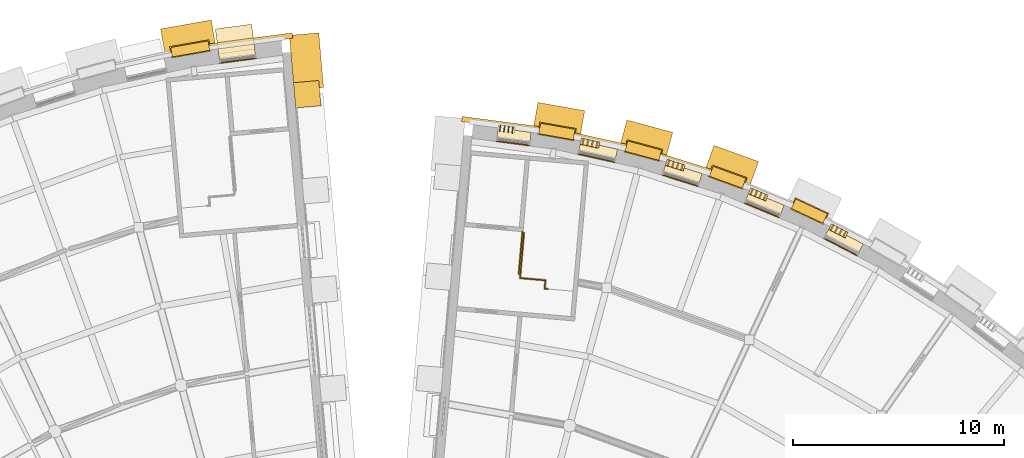
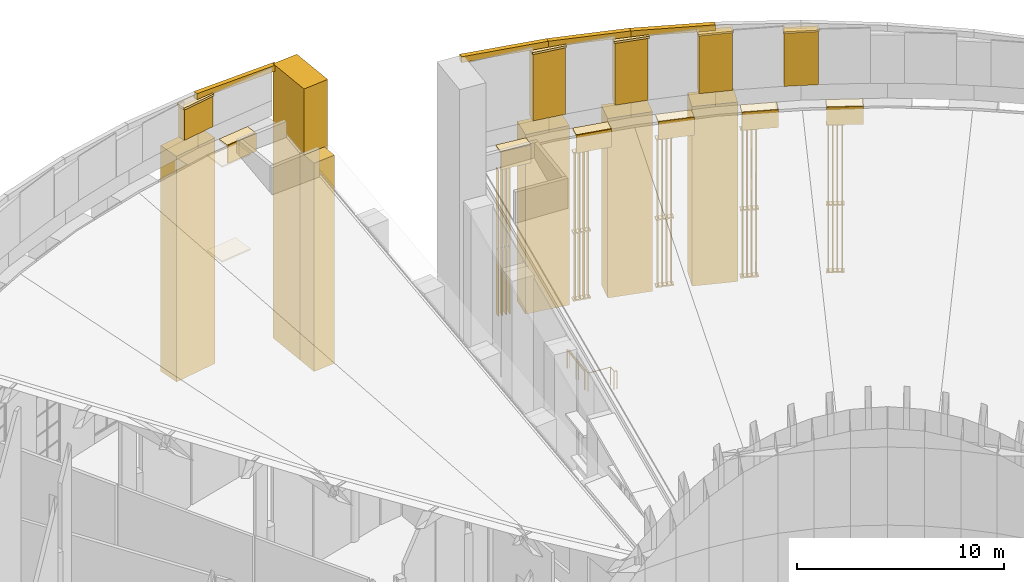
# One storey, part 79 of 82: 86 coverings, 2 railings.
"""IFC4 building model written with IfcOpenShell, lengths in metres."""

from ifc_helpers import new_model, si_unit, direction, frame, origin, origin_2d, place, context, subcontext, project, spatial, polyline, rectangle, circle, outline, extrude, material, layer, layer_set, type_object, element, save


model = new_model("IFC4")

# Units and contexts
model_context = context("Model", 3, precision=1e-05, world=origin(), true_north=direction((0.0, 1.0)))
body_context = subcontext(model_context, "Body", "Model", "MODEL_VIEW")
ifc_project = project(units=[si_unit("LENGTHUNIT", "METRE"), si_unit("AREAUNIT", "SQUARE_METRE"), si_unit("VOLUMEUNIT", "CUBIC_METRE"), si_unit("PLANEANGLEUNIT", "RADIAN"), si_unit("MASSUNIT", "GRAM", prefix="KILO")], contexts=[model_context])

# Site, building, storey
site_placement = place(None, origin())
site = spatial("IfcSite", under=ifc_project, at=site_placement, CompositionType="ELEMENT")
building_placement = place(site_placement, origin())
building = spatial("IfcBuilding", under=site, at=building_placement, Name="Volute Hill Aquarium", CompositionType="ELEMENT")
storey_placement = place(building_placement, frame((0.0, 0.0, 13.800048828125)))
storey = spatial("IfcBuildingStorey", under=building, at=storey_placement, Name="L04", CompositionType="ELEMENT", Elevation=13.800048828125)

# Coverings
ifc_material_1 = material(Name="Precast concrete C40/50", Category="concrete")
covering_type_1 = type_object("IfcCoveringType", Name="Crown coping beam precast concrete C40/50 250x350", PredefinedType="CLADDING", material=ifc_material_1)
covering_1_placement = place(storey_placement, frame((16.453857421875, 45.22265625, 15.004150390625), z_axis=(0.30068764633, 0.953722674232, 0.0), x_axis=(-0.951717150326, 0.300055349039, 0.064817075592)))
element("IfcCovering", 1, at=covering_1_placement, inside=storey, type_object=covering_type_1, Name="Crown coping beam PCB S5 b07", PredefinedType="CLADDING", context=body_context, shape_type="SweptSolid", body=[
    extrude(outline(polyline([(0.0, 0.0), (4.1960031946013725, 0.0), (4.218679676369869, 0.3491178304953431), (0.022692306249842528, 0.3493614577322555), (0.0, 0.0)])), origin(), (0.0, 0.0, -1.0), 0.25),
])
covering_2_placement = place(storey_placement, frame((12.449951171875, 46.484619140625, 15.276123046875), z_axis=(0.216424213295, 0.976299421233, 0.0), x_axis=(-0.974246615989, 0.215969151302, 0.064814017928)))
element("IfcCovering", 2, at=covering_2_placement, inside=storey, type_object=covering_type_1, Name="Crown coping beam PCB S5 b08", PredefinedType="CLADDING", context=body_context, shape_type="SweptSolid", body=[
    extrude(outline(polyline([(0.0, 0.0), (4.196201145102491, -5.551115123125783e-17), (4.218876557136537, 0.34911789997686793), (0.022675412034045408, 0.349117899976868), (0.0, 0.0)])), origin(), (0.0, 0.0, -1.0), 0.25),
])
covering_3_placement = place(storey_placement, frame((8.35107421875, 47.392822265625, 15.548095703125), z_axis=(0.130535240618, 0.991443670088, 0.0), x_axis=(-0.989359393456, 0.130260821042, 0.064808248556)))
element("IfcCovering", 3, at=covering_3_placement, inside=storey, type_object=covering_type_1, Name="Crown coping beam PCB S5 beb", PredefinedType="CLADDING", context=body_context, shape_type="SweptSolid", body=[
    extrude(outline(polyline([(0.0, 0.0), (4.546917112227547, 0.0), (4.569590505826533, 0.3491180310695476), (0.022673393598986822, 0.34911803106954753), (0.0, 0.0)])), origin(), (0.0, 0.0, -1.0), 0.25),
])
covering_4_placement = place(storey_placement, frame((-9.008056640625, 51.05517578125, 16.14990234375), z_axis=(0.130523048142, -0.991445275295, 0.0), x_axis=(0.988829497836, 0.130178682945, -0.072592938479)))
element("IfcCovering", 4, at=covering_4_placement, inside=storey, type_object=covering_type_1, Name="Crown coping beam PCB S6 bea", PredefinedType="CLADDING", context=body_context, shape_type="SweptSolid", body=[
    extrude(outline(polyline([(0.0, 0.0), (4.896740061075956, 0.0), (4.8713254434542534, 0.34917397686953394), (-0.025414617621702426, 0.349173976869534), (0.0, 0.0)])), origin(), (0.0, 0.0, -1.0), 0.25),
])
ifc_material_2 = material(Name="Precast concrete C40/50", Category="concrete")
covering_type_2 = type_object("IfcCoveringType", Name="End wall precast fin C40/50 1200x1200", PredefinedType="CLADDING", material=ifc_material_2)
covering_5_placement = place(storey_placement, frame((-3.48681640625, 49.03271484375, 0.0), z_axis=(0.0, 0.0, 1.0), x_axis=(-0.08715511842, 0.996194752713, 0.0)))
element("IfcCovering", 5, at=covering_5_placement, inside=storey, type_object=covering_type_2, Name="End wall fin EWF S6A L04 7", PredefinedType="CLADDING", context=body_context, shape_type="SweptSolid", body=[
    extrude(rectangle(XDim=1.199951171875, YDim=1.199951171875, at=origin_2d()), origin(), (0.0, 0.0, 1.0), 12.278564453125),
])

# Railings
ifc_material_3 = material(Name="Stainless steel 1.4301", Category="steel")
railing_type = type_object("IfcRailingType", Name="Guard 1100 stainless", PredefinedType="GUARDRAIL", material=ifc_material_3)
railing_1_placement = place(storey_placement, frame((6.701904296875, 42.527587890625, 0.0)))
element("IfcRailing", 6, at=railing_1_placement, inside=storey, type_object=railing_type, Name="gd/S5-B/L04/edge", PredefinedType="GUARDRAIL", context=body_context, shape_type="SweptSolid", body=[
    extrude(circle(Radius=0.02392578125, at=origin_2d()), frame((0.0, 0.0, 1.076171875), z_axis=(-0.087166950281, -0.996193717496, 0.0), x_axis=(0.996193717496, -0.087166950281, 0.0)), (0.0, 0.0, 1.0), 1.999755859375),
    extrude(circle(Radius=0.02099609375, at=origin_2d()), origin(), (0.0, 0.0, 1.0), 1.052001953125),
    extrude(circle(Radius=0.02099609375, at=origin_2d()), frame((-0.087158203125, -0.99609375, 0.0)), (0.0, 0.0, 1.0), 1.052001953125),
    extrude(circle(Radius=0.02099609375, at=origin_2d()), frame((-0.17431640625, -1.9921875, 0.0)), (0.0, 0.0, 1.0), 1.052001953125),
])
railing_2_placement = place(storey_placement, frame((7.89990234375, 39.81298828125, 0.0)))
element("IfcRailing", 7, at=railing_2_placement, inside=storey, type_object=railing_type, Name="gd/S5-B/L04/well", PredefinedType="GUARDRAIL", context=body_context, shape_type="SweptSolid", body=[
    extrude(circle(Radius=0.02392578125, at=origin_2d()), frame((0.0, 0.0, 1.076171875), z_axis=(-0.99627106838, 0.086278376837, 0.0), x_axis=(-0.086278376837, -0.99627106838, 0.0)), (0.0, 0.0, 1.0), 0.14990234375),
    extrude(circle(Radius=0.02392578125, at=origin_2d()), frame((-0.1494140625, 0.012939453125, 1.076171875), z_axis=(0.087235057608, 0.996187755759, 0.0), x_axis=(-0.996187755759, 0.087235057608, 0.0)), (0.0, 0.0, 1.0), 0.400146484375),
    extrude(circle(Radius=0.02392578125, at=origin_2d()), frame((-0.114501953125, 0.41162109375, 1.076171875), z_axis=(-0.996200781645, 0.087086179441, 0.0), x_axis=(-0.087086179441, -0.996200781645, 0.0)), (0.0, 0.0, 1.0), 1.199951171875),
    extrude(circle(Radius=0.02392578125, at=origin_2d()), frame((-1.309814453125, 0.51611328125, 1.076171875), z_axis=(0.087095110076, 0.996200000904, 0.0), x_axis=(-0.996200000904, 0.087095110076, 0.0)), (0.0, 0.0, 1.0), 2.14990234375),
    extrude(circle(Radius=0.02099609375, at=origin_2d()), origin(), (0.0, 0.0, 1.0), 1.052001953125),
    extrude(circle(Radius=0.02099609375, at=origin_2d()), frame((-0.1494140625, 0.012939453125, 0.0)), (0.0, 0.0, 1.0), 1.052001953125),
    extrude(circle(Radius=0.02099609375, at=origin_2d()), frame((-0.114501953125, 0.41162109375, 0.0)), (0.0, 0.0, 1.0), 1.052001953125),
    extrude(circle(Radius=0.02099609375, at=origin_2d()), frame((-1.309814453125, 0.51611328125, 0.0)), (0.0, 0.0, 1.0), 1.052001953125),
    extrude(circle(Radius=0.02099609375, at=origin_2d()), frame((-1.21630859375, 1.5869140625, 0.0)), (0.0, 0.0, 1.0), 1.052001953125),
    extrude(circle(Radius=0.02099609375, at=origin_2d()), frame((-1.12255859375, 2.657958984375, 0.0)), (0.0, 0.0, 1.0), 1.052001953125),
])

# Coverings
ifc_material_4 = material(Name="Aluminium, anodised", Category="aluminium")
ifc_layer_1 = layer(ifc_material_4, 0.080078125)
ifc_layer_set_1 = layer_set([ifc_layer_1], Name="Horizontal brise-soleil eyebrow 1200x80")
covering_type_3 = type_object("IfcCoveringType", Name="Horizontal brise-soleil eyebrow 1200x80", PredefinedType="CLADDING", material=ifc_layer_set_1)
for number, where, z_axis, x_axis, name in (
    (8, (-6.89990234375, 51.64208984375, 11.753662109375), (0.0, 0.0, 1.0), (-0.991444832339, -0.130526412759, 0.0), "Brise-soleil eyebrow BS S6 L04 1.1"),
    (9, (-6.89990234375, 51.64208984375, 6.15673828125), (0.0, 0.0, 1.0), (-0.991444832339, -0.130526412759, 0.0), "Brise-soleil eyebrow BS S6 L04 1.2"),
):
    element("IfcCovering", number, at=place(storey_placement, frame(where, z_axis=z_axis, x_axis=x_axis)), inside=storey, type_object=covering_type_3, Name=name, PredefinedType="CLADDING", context=body_context, shape_type="SweptSolid", body=[
        extrude(rectangle(XDim=1.733642578125, YDim=1.199951171875, at=origin_2d()), origin(), (0.0, 0.0, 1.0), 0.080078125),
    ])
ifc_material_5 = material(Name="Precast concrete C40/50", Category="concrete")
ifc_layer_2 = layer(ifc_material_5, 0.10009765625)
ifc_layer_set_2 = layer_set([ifc_layer_2], Name="Niche cap precast concrete C40/50 100")
covering_type_4 = type_object("IfcCoveringType", Name="Niche cap precast concrete C40/50 100", PredefinedType="CLADDING", material=ifc_layer_set_2)
for number, where, z_axis, x_axis, name in (
    (10, (21.912109375, 42.0927734375, 10.48046875), (0.0, 0.0, 1.0), (-0.887006559862, 0.461756822107, 0.0), "Niche cap NC S5 L04 6"),
    (11, (18.16015625, 43.842529296875, 10.48046875), (0.0, 0.0, 1.0), (-0.92387858834, 0.382685711789, 0.0), "Niche cap NC S5 L04 7"),
    (12, (14.27001953125, 45.25830078125, 10.48046875), (0.0, 0.0, 1.0), (-0.95371759465, 0.3007037573, 0.0), "Niche cap NC S5 L04 8"),
    (13, (10.27099609375, 46.329833984375, 10.48046875), (0.0, 0.0, 1.0), (-0.976299687728, 0.21642301112, 0.0), "Niche cap NC S5 L04 9"),
):
    element("IfcCovering", number, at=place(storey_placement, frame(where, z_axis=z_axis, x_axis=x_axis)), inside=storey, type_object=covering_type_4, Name=name, PredefinedType="CLADDING", context=body_context, shape_type="SweptSolid", body=[
        extrude(rectangle(XDim=1.78564453125, YDim=0.60009765625, at=origin_2d()), origin(), (0.0, 0.0, 1.0), 0.10009765625),
    ])
covering_6_placement = place(storey_placement, frame((6.29345703125, 47.03564453125, 10.48046875), z_axis=(0.0, 0.0, 1.0), x_axis=(-0.991442570657, 0.130543590761, 0.0)))
element("IfcCovering", 14, at=covering_6_placement, inside=storey, type_object=covering_type_4, Name="Niche cap NC S5 L04 10", PredefinedType="CLADDING", context=body_context, shape_type="SweptSolid", body=[
    extrude(rectangle(XDim=1.58544921875, YDim=0.60009765625, at=origin_2d()), origin(), (0.0, 0.0, 1.0), 0.10009765625),
])
covering_7_placement = place(storey_placement, frame((-6.811767578125, 50.972900390625, 13.199951171875), z_axis=(0.0, 0.0, 1.0), x_axis=(-0.991444832339, -0.130526412759, 0.0)))
element("IfcCovering", 15, at=covering_7_placement, inside=storey, type_object=covering_type_4, Name="Niche cap NC S6 L04 1", PredefinedType="CLADDING", context=body_context, shape_type="SweptSolid", body=[
    extrude(rectangle(XDim=1.733642578125, YDim=0.64990234375, at=origin_2d()), origin(), (0.0, 0.0, 1.0), 0.10009765625),
])
ifc_material_6 = material(Name="Zinc")
ifc_layer_3 = layer(ifc_material_6, 0.050048828125)
ifc_layer_set_3 = layer_set([ifc_layer_3], Name="Niche head cladding panel 50")
covering_type_5 = type_object("IfcCoveringType", Name="Niche head cladding panel 50", PredefinedType="CLADDING", material=ifc_layer_set_3)
for number, where, z_axis, x_axis, name in (
    (16, (21.761962890625, 41.8046875, 9.52587890625), (0.0, 0.0, 1.0), (-0.887006559862, 0.461756822107, 0.0), "Niche head cladding NF S5 L04 6"),
    (17, (18.03564453125, 43.542236328125, 9.52587890625), (0.0, 0.0, 1.0), (-0.92387858834, 0.382685711789, 0.0), "Niche head cladding NF S5 L04 7"),
    (18, (14.172119140625, 44.948486328125, 9.52587890625), (0.0, 0.0, 1.0), (-0.95371759465, 0.3007037573, 0.0), "Niche head cladding NF S5 L04 8"),
    (19, (10.20068359375, 46.012451171875, 9.52587890625), (0.0, 0.0, 1.0), (-0.976299687728, 0.21642301112, 0.0), "Niche head cladding NF S5 L04 9"),
):
    element("IfcCovering", number, at=place(storey_placement, frame(where, z_axis=z_axis, x_axis=x_axis)), inside=storey, type_object=covering_type_5, Name=name, PredefinedType="CLADDING", context=body_context, shape_type="SweptSolid", body=[
        extrude(rectangle(XDim=1.78564453125, YDim=0.050048828125, at=origin_2d()), origin(), (0.0, 0.0, 1.0), 1.0546875),
    ])
covering_8_placement = place(storey_placement, frame((6.2509765625, 46.71337890625, 9.5283203125), z_axis=(0.0, 0.0, 1.0), x_axis=(-0.991442570657, 0.130543590761, 0.0)))
element("IfcCovering", 20, at=covering_8_placement, inside=storey, type_object=covering_type_5, Name="Niche head cladding NF S5 L04 10", PredefinedType="CLADDING", context=body_context, shape_type="SweptSolid", body=[
    extrude(rectangle(XDim=1.58544921875, YDim=0.050048828125, at=origin_2d()), origin(), (0.0, 0.0, 1.0), 1.052490234375),
])
covering_9_placement = place(storey_placement, frame((-6.76611328125, 50.6259765625, 12.24365234375), z_axis=(0.0, 0.0, 1.0), x_axis=(-0.991444832339, -0.130526412759, 0.0)))
element("IfcCovering", 21, at=covering_9_placement, inside=storey, type_object=covering_type_5, Name="Niche head cladding NF S6 L04 1", PredefinedType="CLADDING", context=body_context, shape_type="SweptSolid", body=[
    extrude(rectangle(XDim=1.733642578125, YDim=0.050048828125, at=origin_2d()), origin(), (0.0, 0.0, 1.0), 1.056396484375),
])
ifc_material_7 = material(Name="Precast concrete C40/50", Category="concrete")
ifc_layer_4 = layer(ifc_material_7, 0.1201171875)
ifc_layer_set_4 = layer_set([ifc_layer_4], Name="Pier crown coping precast concrete C40/50 1757x600")
covering_type_6 = type_object("IfcCoveringType", Name="Pier crown coping precast concrete C40/50 1757x600", PredefinedType="CLADDING", material=ifc_layer_set_4)
for number, where, z_axis, x_axis, name in (
    (22, (20.284912109375, 43.5009765625, 14.612060546875), (0.0, 0.0, 1.0), (-0.906307787037, 0.422618261741, 0.0), "Pier crown coping PCC S5 6"),
    (23, (16.416259765625, 45.103515625, 14.884033203125), (0.0, 0.0, 1.0), (-0.939692620786, 0.342020143326, 0.0), "Pier crown coping PCC S5 7"),
    (24, (12.4228515625, 46.362548828125, 15.156005859375), (0.0, 0.0, 1.0), (-0.965925826289, 0.258819045103, 0.0), "Pier crown coping PCC S5 8"),
    (25, (8.334716796875, 47.268798828125, 15.427978515625), (0.0, 0.0, 1.0), (-0.984807753012, 0.173648177667, 0.0), "Pier crown coping PCC S5 9"),
):
    element("IfcCovering", number, at=place(storey_placement, frame(where, z_axis=z_axis, x_axis=x_axis)), inside=storey, type_object=covering_type_6, Name=name, PredefinedType="CLADDING", context=body_context, shape_type="SweptSolid", body=[
        extrude(rectangle(XDim=1.7568359375, YDim=0.60009765625, at=origin_2d()), origin(), (0.0, 0.0, 1.0), 0.1201171875),
    ])
ifc_material_8 = material(Name="Precast concrete C40/50", Category="concrete")
ifc_layer_5 = layer(ifc_material_8, 0.1201171875)
ifc_layer_set_5 = layer_set([ifc_layer_5], Name="Pier crown coping precast concrete C40/50 1894x550")
covering_type_7 = type_object("IfcCoveringType", Name="Pier crown coping precast concrete C40/50 1894x550", PredefinedType="CLADDING", material=ifc_layer_set_5)
covering_10_placement = place(storey_placement, frame((-9.0244140625, 51.17919921875, 16.02978515625), z_axis=(0.0, 0.0, 1.0), x_axis=(-0.984807753012, -0.173648177667, 0.0)))
element("IfcCovering", 26, at=covering_10_placement, inside=storey, type_object=covering_type_7, Name="Pier crown coping PCC S6 1", PredefinedType="CLADDING", context=body_context, shape_type="SweptSolid", body=[
    extrude(rectangle(XDim=1.894287109375, YDim=0.550048828125, at=origin_2d()), origin(), (0.0, 0.0, 1.0), 0.1201171875),
])
ifc_material_9 = material(Name="Precast concrete C40/50", Category="concrete")
covering_type_8 = type_object("IfcCoveringType", Name="Pier crown fin precast concrete C40/50 1657x500", PredefinedType="CLADDING", material=ifc_material_9)
covering_11_placement = place(storey_placement, frame((20.284912109375, 43.5009765625, 11.48046875), z_axis=(0.0, 0.0, 1.0), x_axis=(-0.906307787037, 0.422618261741, 0.0)))
element("IfcCovering", 27, at=covering_11_placement, inside=storey, type_object=covering_type_8, Name="Pier crown fin PC S5 6", PredefinedType="CLADDING", context=body_context, shape_type="SweptSolid", body=[
    extrude(rectangle(XDim=1.656982421875, YDim=0.5, at=origin_2d()), origin(), (0.0, 0.0, 1.0), 3.131591796875),
])
covering_12_placement = place(storey_placement, frame((16.416259765625, 45.103515625, 11.48046875), z_axis=(0.0, 0.0, 1.0), x_axis=(-0.939692620786, 0.342020143326, 0.0)))
element("IfcCovering", 28, at=covering_12_placement, inside=storey, type_object=covering_type_8, Name="Pier crown fin PC S5 7", PredefinedType="CLADDING", context=body_context, shape_type="SweptSolid", body=[
    extrude(rectangle(XDim=1.656982421875, YDim=0.5, at=origin_2d()), origin(), (0.0, 0.0, 1.0), 3.403564453125),
])
covering_13_placement = place(storey_placement, frame((12.4228515625, 46.362548828125, 11.48046875), z_axis=(0.0, 0.0, 1.0), x_axis=(-0.965925826289, 0.258819045103, 0.0)))
element("IfcCovering", 29, at=covering_13_placement, inside=storey, type_object=covering_type_8, Name="Pier crown fin PC S5 8", PredefinedType="CLADDING", context=body_context, shape_type="SweptSolid", body=[
    extrude(rectangle(XDim=1.656982421875, YDim=0.5, at=origin_2d()), origin(), (0.0, 0.0, 1.0), 3.675537109375),
])
covering_14_placement = place(storey_placement, frame((8.334716796875, 47.268798828125, 11.48046875), z_axis=(0.0, 0.0, 1.0), x_axis=(-0.984807753012, 0.173648177667, 0.0)))
element("IfcCovering", 30, at=covering_14_placement, inside=storey, type_object=covering_type_8, Name="Pier crown fin PC S5 9", PredefinedType="CLADDING", context=body_context, shape_type="SweptSolid", body=[
    extrude(rectangle(XDim=1.656982421875, YDim=0.5, at=origin_2d()), origin(), (0.0, 0.0, 1.0), 3.947509765625),
])
ifc_material_10 = material(Name="Precast concrete C40/50", Category="concrete")
covering_type_9 = type_object("IfcCoveringType", Name="Pier crown fin precast concrete C40/50 1794x450", PredefinedType="CLADDING", material=ifc_material_10)
covering_15_placement = place(storey_placement, frame((-9.0244140625, 51.17919921875, 14.199951171875), z_axis=(0.0, 0.0, 1.0), x_axis=(-0.984807753012, -0.173648177667, 0.0)))
element("IfcCovering", 31, at=covering_15_placement, inside=storey, type_object=covering_type_9, Name="Pier crown fin PC S6 1", PredefinedType="CLADDING", context=body_context, shape_type="SweptSolid", body=[
    extrude(rectangle(XDim=1.79443359375, YDim=0.449951171875, at=origin_2d()), origin(), (0.0, 0.0, 1.0), 1.830078125),
])
ifc_material_11 = material(Name="Aluminium", Category="aluminium")
covering_type_10 = type_object("IfcCoveringType", Name="Plant louvre slat 40x300", PredefinedType="CLADDING", material=ifc_material_11)
for number, where, z_axis, x_axis, name in (
    (32, (21.95166015625, 42.410400390625, 0.530029296875), (0.0, 0.0, 1.0), (-0.887006559862, 0.461756822107, 0.0), "Plant louvre slat S5 L04 6.1.1"),
    (33, (21.753662109375, 42.513671875, 0.530029296875), (0.0, 0.0, 1.0), (-0.887006559862, 0.461756822107, 0.0), "Plant louvre slat S5 L04 6.1.2"),
    (34, (21.5556640625, 42.61669921875, 0.530029296875), (0.0, 0.0, 1.0), (-0.887006559862, 0.461756822107, 0.0), "Plant louvre slat S5 L04 6.1.3"),
    (35, (21.357666015625, 42.7197265625, 0.530029296875), (0.0, 0.0, 1.0), (-0.887006559862, 0.461756822107, 0.0), "Plant louvre slat S5 L04 6.1.4"),
):
    element("IfcCovering", number, at=place(storey_placement, frame(where, z_axis=z_axis, x_axis=x_axis)), inside=storey, type_object=covering_type_10, Name=name, PredefinedType="CLADDING", context=body_context, shape_type="SweptSolid", body=[
        extrude(rectangle(XDim=0.0400390625, YDim=0.300048828125, at=origin_2d()), origin(), (0.0, 0.0, 1.0), 3.8798828125),
    ])
for number, where, z_axis, x_axis, name in (
    (36, (21.95166015625, 42.410400390625, 4.48974609375), (0.0, 0.0, 1.0), (-0.887006559862, 0.461756822107, 0.0), "Plant louvre slat S5 L04 6.2.1"),
    (37, (21.753662109375, 42.513671875, 4.48974609375), (0.0, 0.0, 1.0), (-0.887006559862, 0.461756822107, 0.0), "Plant louvre slat S5 L04 6.2.2"),
    (38, (21.5556640625, 42.61669921875, 4.48974609375), (0.0, 0.0, 1.0), (-0.887006559862, 0.461756822107, 0.0), "Plant louvre slat S5 L04 6.2.3"),
    (39, (21.357666015625, 42.7197265625, 4.48974609375), (0.0, 0.0, 1.0), (-0.887006559862, 0.461756822107, 0.0), "Plant louvre slat S5 L04 6.2.4"),
):
    element("IfcCovering", number, at=place(storey_placement, frame(where, z_axis=z_axis, x_axis=x_axis)), inside=storey, type_object=covering_type_10, Name=name, PredefinedType="CLADDING", context=body_context, shape_type="SweptSolid", body=[
        extrude(rectangle(XDim=0.0400390625, YDim=0.300048828125, at=origin_2d()), origin(), (0.0, 0.0, 1.0), 4.656005859375),
    ])
for number, where, z_axis, x_axis, name in (
    (40, (18.171875, 44.162353515625, 0.530029296875), (0.0, 0.0, 1.0), (-0.92387858834, 0.382685711789, 0.0), "Plant louvre slat S5 L04 7.1.1"),
    (41, (17.965576171875, 44.247802734375, 0.530029296875), (0.0, 0.0, 1.0), (-0.92387858834, 0.382685711789, 0.0), "Plant louvre slat S5 L04 7.1.2"),
    (42, (17.75927734375, 44.333251953125, 0.530029296875), (0.0, 0.0, 1.0), (-0.92387858834, 0.382685711789, 0.0), "Plant louvre slat S5 L04 7.1.3"),
    (43, (17.55322265625, 44.418701171875, 0.530029296875), (0.0, 0.0, 1.0), (-0.92387858834, 0.382685711789, 0.0), "Plant louvre slat S5 L04 7.1.4"),
):
    element("IfcCovering", number, at=place(storey_placement, frame(where, z_axis=z_axis, x_axis=x_axis)), inside=storey, type_object=covering_type_10, Name=name, PredefinedType="CLADDING", context=body_context, shape_type="SweptSolid", body=[
        extrude(rectangle(XDim=0.0400390625, YDim=0.300048828125, at=origin_2d()), origin(), (0.0, 0.0, 1.0), 3.8798828125),
    ])
for number, where, z_axis, x_axis, name in (
    (44, (18.171875, 44.162353515625, 4.48974609375), (0.0, 0.0, 1.0), (-0.92387858834, 0.382685711789, 0.0), "Plant louvre slat S5 L04 7.2.1"),
    (45, (17.965576171875, 44.247802734375, 4.48974609375), (0.0, 0.0, 1.0), (-0.92387858834, 0.382685711789, 0.0), "Plant louvre slat S5 L04 7.2.2"),
    (46, (17.75927734375, 44.333251953125, 4.48974609375), (0.0, 0.0, 1.0), (-0.92387858834, 0.382685711789, 0.0), "Plant louvre slat S5 L04 7.2.3"),
    (47, (17.55322265625, 44.418701171875, 4.48974609375), (0.0, 0.0, 1.0), (-0.92387858834, 0.382685711789, 0.0), "Plant louvre slat S5 L04 7.2.4"),
):
    element("IfcCovering", number, at=place(storey_placement, frame(where, z_axis=z_axis, x_axis=x_axis)), inside=storey, type_object=covering_type_10, Name=name, PredefinedType="CLADDING", context=body_context, shape_type="SweptSolid", body=[
        extrude(rectangle(XDim=0.0400390625, YDim=0.300048828125, at=origin_2d()), origin(), (0.0, 0.0, 1.0), 4.656005859375),
    ])
for number, where, z_axis, x_axis, name in (
    (48, (14.253662109375, 45.578125, 0.530029296875), (0.0, 0.0, 1.0), (-0.95371759465, 0.3007037573, 0.0), "Plant louvre slat S5 L04 8.1.1"),
    (49, (14.040771484375, 45.645263671875, 0.530029296875), (0.0, 0.0, 1.0), (-0.95371759465, 0.3007037573, 0.0), "Plant louvre slat S5 L04 8.1.2"),
    (50, (13.827880859375, 45.71240234375, 0.530029296875), (0.0, 0.0, 1.0), (-0.95371759465, 0.3007037573, 0.0), "Plant louvre slat S5 L04 8.1.3"),
    (51, (13.614990234375, 45.779296875, 0.530029296875), (0.0, 0.0, 1.0), (-0.95371759465, 0.3007037573, 0.0), "Plant louvre slat S5 L04 8.1.4"),
):
    element("IfcCovering", number, at=place(storey_placement, frame(where, z_axis=z_axis, x_axis=x_axis)), inside=storey, type_object=covering_type_10, Name=name, PredefinedType="CLADDING", context=body_context, shape_type="SweptSolid", body=[
        extrude(rectangle(XDim=0.0400390625, YDim=0.300048828125, at=origin_2d()), origin(), (0.0, 0.0, 1.0), 3.8798828125),
    ])
for number, where, z_axis, x_axis, name in (
    (52, (14.253662109375, 45.578125, 4.48974609375), (0.0, 0.0, 1.0), (-0.95371759465, 0.3007037573, 0.0), "Plant louvre slat S5 L04 8.2.1"),
    (53, (14.040771484375, 45.645263671875, 4.48974609375), (0.0, 0.0, 1.0), (-0.95371759465, 0.3007037573, 0.0), "Plant louvre slat S5 L04 8.2.2"),
    (54, (13.827880859375, 45.71240234375, 4.48974609375), (0.0, 0.0, 1.0), (-0.95371759465, 0.3007037573, 0.0), "Plant louvre slat S5 L04 8.2.3"),
    (55, (13.614990234375, 45.779296875, 4.48974609375), (0.0, 0.0, 1.0), (-0.95371759465, 0.3007037573, 0.0), "Plant louvre slat S5 L04 8.2.4"),
):
    element("IfcCovering", number, at=place(storey_placement, frame(where, z_axis=z_axis, x_axis=x_axis)), inside=storey, type_object=covering_type_10, Name=name, PredefinedType="CLADDING", context=body_context, shape_type="SweptSolid", body=[
        extrude(rectangle(XDim=0.0400390625, YDim=0.300048828125, at=origin_2d()), origin(), (0.0, 0.0, 1.0), 4.656005859375),
    ])
for number, where, z_axis, x_axis, name in (
    (56, (10.22705078125, 46.64697265625, 0.530029296875), (0.0, 0.0, 1.0), (-0.976299687728, 0.21642301112, 0.0), "Plant louvre slat S5 L04 9.1.1"),
    (57, (10.009033203125, 46.695068359375, 0.530029296875), (0.0, 0.0, 1.0), (-0.976299687728, 0.21642301112, 0.0), "Plant louvre slat S5 L04 9.1.2"),
    (58, (9.791259765625, 46.743408203125, 0.530029296875), (0.0, 0.0, 1.0), (-0.976299687728, 0.21642301112, 0.0), "Plant louvre slat S5 L04 9.1.3"),
    (59, (9.5732421875, 46.791748046875, 0.530029296875), (0.0, 0.0, 1.0), (-0.976299687728, 0.21642301112, 0.0), "Plant louvre slat S5 L04 9.1.4"),
):
    element("IfcCovering", number, at=place(storey_placement, frame(where, z_axis=z_axis, x_axis=x_axis)), inside=storey, type_object=covering_type_10, Name=name, PredefinedType="CLADDING", context=body_context, shape_type="SweptSolid", body=[
        extrude(rectangle(XDim=0.0400390625, YDim=0.300048828125, at=origin_2d()), origin(), (0.0, 0.0, 1.0), 3.8798828125),
    ])
for number, where, z_axis, x_axis, name in (
    (60, (10.22705078125, 46.64697265625, 4.48974609375), (0.0, 0.0, 1.0), (-0.976299687728, 0.21642301112, 0.0), "Plant louvre slat S5 L04 9.2.1"),
    (61, (10.009033203125, 46.695068359375, 4.48974609375), (0.0, 0.0, 1.0), (-0.976299687728, 0.21642301112, 0.0), "Plant louvre slat S5 L04 9.2.2"),
    (62, (9.791259765625, 46.743408203125, 4.48974609375), (0.0, 0.0, 1.0), (-0.976299687728, 0.21642301112, 0.0), "Plant louvre slat S5 L04 9.2.3"),
    (63, (9.5732421875, 46.791748046875, 4.48974609375), (0.0, 0.0, 1.0), (-0.976299687728, 0.21642301112, 0.0), "Plant louvre slat S5 L04 9.2.4"),
):
    element("IfcCovering", number, at=place(storey_placement, frame(where, z_axis=z_axis, x_axis=x_axis)), inside=storey, type_object=covering_type_10, Name=name, PredefinedType="CLADDING", context=body_context, shape_type="SweptSolid", body=[
        extrude(rectangle(XDim=0.0400390625, YDim=0.300048828125, at=origin_2d()), origin(), (0.0, 0.0, 1.0), 4.656005859375),
    ])
for number, where, z_axis, x_axis, name in (
    (64, (6.234375, 47.345947265625, 0.530029296875), (0.0, 0.0, 1.0), (-0.991442570657, 0.130543590761, 0.0), "Plant louvre slat S5 L04 10.1.1"),
    (65, (6.037841796875, 47.371826171875, 0.530029296875), (0.0, 0.0, 1.0), (-0.991442570657, 0.130543590761, 0.0), "Plant louvre slat S5 L04 10.1.2"),
    (66, (5.84130859375, 47.397705078125, 0.530029296875), (0.0, 0.0, 1.0), (-0.991442570657, 0.130543590761, 0.0), "Plant louvre slat S5 L04 10.1.3"),
    (67, (5.644775390625, 47.423583984375, 0.530029296875), (0.0, 0.0, 1.0), (-0.991442570657, 0.130543590761, 0.0), "Plant louvre slat S5 L04 10.1.4"),
):
    element("IfcCovering", number, at=place(storey_placement, frame(where, z_axis=z_axis, x_axis=x_axis)), inside=storey, type_object=covering_type_10, Name=name, PredefinedType="CLADDING", context=body_context, shape_type="SweptSolid", body=[
        extrude(rectangle(XDim=0.0400390625, YDim=0.300048828125, at=origin_2d()), origin(), (0.0, 0.0, 1.0), 3.8798828125),
    ])
for number, where, z_axis, x_axis, name in (
    (68, (6.234375, 47.345947265625, 4.489990234375), (0.0, 0.0, 1.0), (-0.991442570657, 0.130543590761, 0.0), "Plant louvre slat S5 L04 10.2.1"),
    (69, (6.037841796875, 47.371826171875, 4.489990234375), (0.0, 0.0, 1.0), (-0.991442570657, 0.130543590761, 0.0), "Plant louvre slat S5 L04 10.2.2"),
    (70, (5.84130859375, 47.397705078125, 4.489990234375), (0.0, 0.0, 1.0), (-0.991442570657, 0.130543590761, 0.0), "Plant louvre slat S5 L04 10.2.3"),
    (71, (5.644775390625, 47.423583984375, 4.489990234375), (0.0, 0.0, 1.0), (-0.991442570657, 0.130543590761, 0.0), "Plant louvre slat S5 L04 10.2.4"),
):
    element("IfcCovering", number, at=place(storey_placement, frame(where, z_axis=z_axis, x_axis=x_axis)), inside=storey, type_object=covering_type_10, Name=name, PredefinedType="CLADDING", context=body_context, shape_type="SweptSolid", body=[
        extrude(rectangle(XDim=0.0400390625, YDim=0.300048828125, at=origin_2d()), origin(), (0.0, 0.0, 1.0), 4.658203125),
    ])
ifc_material_12 = material(Name="Aluminium", Category="aluminium")
covering_type_11 = type_object("IfcCoveringType", Name="Plant louvre slat rail 300x80", PredefinedType="CLADDING", material=ifc_material_12)
for number, where, z_axis, x_axis, name in (
    (72, (21.65478515625, 42.565185546875, 0.449951171875), (0.0, 0.0, 1.0), (-0.887006559862, 0.461756822107, 0.0), "Plant louvre slat rail S5 L04 6.1"),
    (73, (21.65478515625, 42.565185546875, 4.409912109375), (0.0, 0.0, 1.0), (-0.887006559862, 0.461756822107, 0.0), "Plant louvre slat rail S5 L04 6.2"),
    (74, (21.65478515625, 42.565185546875, 9.145751953125), (0.0, 0.0, 1.0), (-0.887006559862, 0.461756822107, 0.0), "Plant louvre slat rail S5 L04 6.3"),
    (75, (17.862548828125, 44.29052734375, 0.449951171875), (0.0, 0.0, 1.0), (-0.92387858834, 0.382685711789, 0.0), "Plant louvre slat rail S5 L04 7.1"),
    (76, (17.862548828125, 44.29052734375, 4.409912109375), (0.0, 0.0, 1.0), (-0.92387858834, 0.382685711789, 0.0), "Plant louvre slat rail S5 L04 7.2"),
    (77, (17.862548828125, 44.29052734375, 9.145751953125), (0.0, 0.0, 1.0), (-0.92387858834, 0.382685711789, 0.0), "Plant louvre slat rail S5 L04 7.3"),
    (78, (13.934326171875, 45.6787109375, 0.449951171875), (0.0, 0.0, 1.0), (-0.95371759465, 0.3007037573, 0.0), "Plant louvre slat rail S5 L04 8.1"),
    (79, (13.934326171875, 45.6787109375, 4.409912109375), (0.0, 0.0, 1.0), (-0.95371759465, 0.3007037573, 0.0), "Plant louvre slat rail S5 L04 8.2"),
    (80, (13.934326171875, 45.6787109375, 9.145751953125), (0.0, 0.0, 1.0), (-0.95371759465, 0.3007037573, 0.0), "Plant louvre slat rail S5 L04 8.3"),
    (81, (9.900146484375, 46.71923828125, 0.449951171875), (0.0, 0.0, 1.0), (-0.976299687728, 0.21642301112, 0.0), "Plant louvre slat rail S5 L04 9.1"),
    (82, (9.900146484375, 46.71923828125, 4.409912109375), (0.0, 0.0, 1.0), (-0.976299687728, 0.21642301112, 0.0), "Plant louvre slat rail S5 L04 9.2"),
    (83, (9.900146484375, 46.71923828125, 9.145751953125), (0.0, 0.0, 1.0), (-0.976299687728, 0.21642301112, 0.0), "Plant louvre slat rail S5 L04 9.3"),
):
    element("IfcCovering", number, at=place(storey_placement, frame(where, z_axis=z_axis, x_axis=x_axis)), inside=storey, type_object=covering_type_11, Name=name, PredefinedType="CLADDING", context=body_context, shape_type="SweptSolid", body=[
        extrude(rectangle(XDim=0.892822265625, YDim=0.300048828125, at=origin_2d()), origin(), (0.0, 0.0, 1.0), 0.080078125),
    ])
ifc_material_13 = material(Name="Precast concrete C40/50", Category="concrete")
covering_type_12 = type_object("IfcCoveringType", Name="Projecting pier precast concrete C40/50 2249x1200", PredefinedType="CLADDING", material=ifc_material_13)
for number, where, z_axis, x_axis, name in (
    (84, (16.62158203125, 45.667236328125, 0.0), (0.0, 0.0, 1.0), (-0.939692620786, 0.342020143326, 0.0), "Projecting pier PP S5 L04 7"),
    (85, (12.578125, 46.94189453125, 0.0), (0.0, 0.0, 1.0), (-0.965925826289, 0.258819045103, 0.0), "Projecting pier PP S5 L04 8"),
    (86, (8.43896484375, 47.859619140625, 0.0), (0.0, 0.0, 1.0), (-0.984807753012, 0.173648177667, 0.0), "Projecting pier PP S5 L04 9"),
):
    element("IfcCovering", number, at=place(storey_placement, frame(where, z_axis=z_axis, x_axis=x_axis)), inside=storey, type_object=covering_type_12, Name=name, PredefinedType="CLADDING", context=body_context, shape_type="SweptSolid", body=[
        extrude(rectangle(XDim=2.24853515625, YDim=1.199951171875, at=origin_2d()), origin(), (0.0, 0.0, 1.0), 10.58056640625),
    ])
ifc_material_14 = material(Name="Precast concrete C40/50", Category="concrete")
covering_type_13 = type_object("IfcCoveringType", Name="Projecting pier precast concrete C40/50 2435x1200", PredefinedType="CLADDING", material=ifc_material_14)
covering_16_placement = place(storey_placement, frame((-9.1240234375, 51.745361328125, 0.0), z_axis=(0.0, 0.0, 1.0), x_axis=(-0.984807753012, -0.173648177667, 0.0)))
element("IfcCovering", 87, at=covering_16_placement, inside=storey, type_object=covering_type_13, Name="Projecting pier PP S6 L04 1", PredefinedType="CLADDING", context=body_context, shape_type="SweptSolid", body=[
    extrude(rectangle(XDim=2.435302734375, YDim=1.199951171875, at=origin_2d()), origin(), (0.0, 0.0, 1.0), 13.300048828125),
])
ifc_material_15 = material(Name="Precast concrete C40/50", Category="concrete")
covering_type_14 = type_object("IfcCoveringType", Name="Step pylon precast concrete C40/50 1400x2600", PredefinedType="CLADDING", material=ifc_material_15)
covering_17_placement = place(storey_placement, frame((-3.522216796875, 50.58544921875, 0.0), z_axis=(0.0, 0.0, 1.0), x_axis=(-0.087155742748, 0.996194698092, 0.0)))
element("IfcCovering", 88, at=covering_17_placement, inside=storey, type_object=covering_type_14, Name="Step pylon SPY S6A L04", PredefinedType="CLADDING", context=body_context, shape_type="SweptSolid", body=[
    extrude(rectangle(XDim=2.60009765625, YDim=1.39990234375, at=origin_2d()), origin(), (0.0, 0.0, 1.0), 16.169921875),
])

save(model, "model.ifc")
